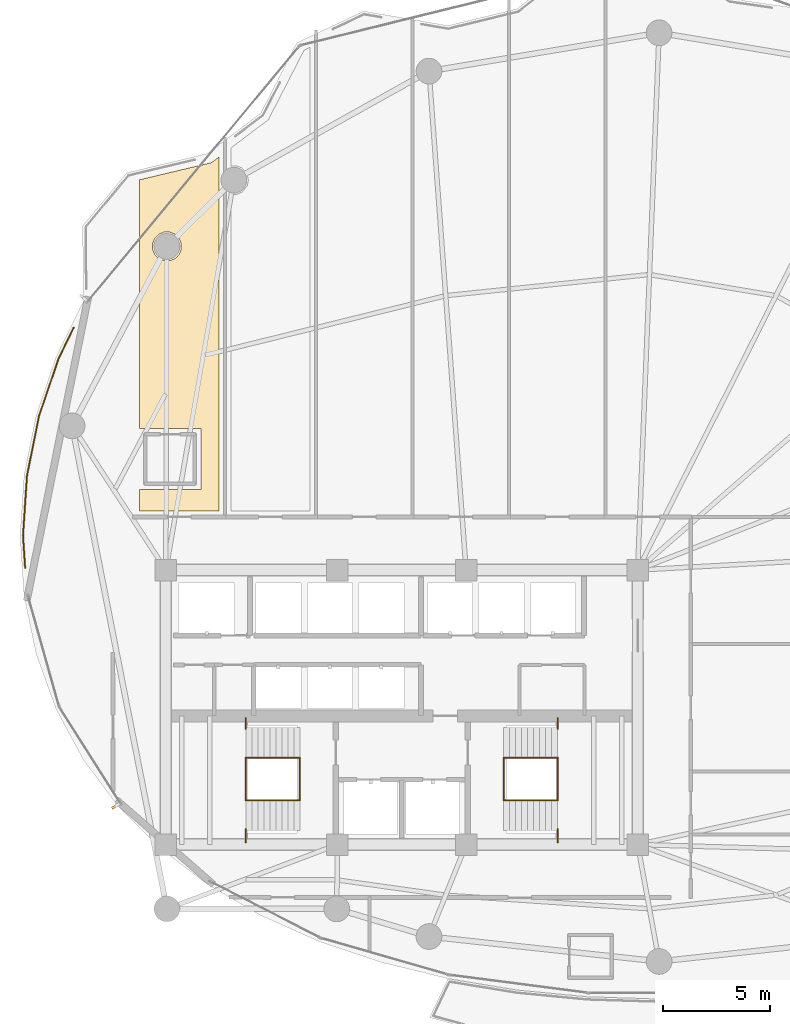
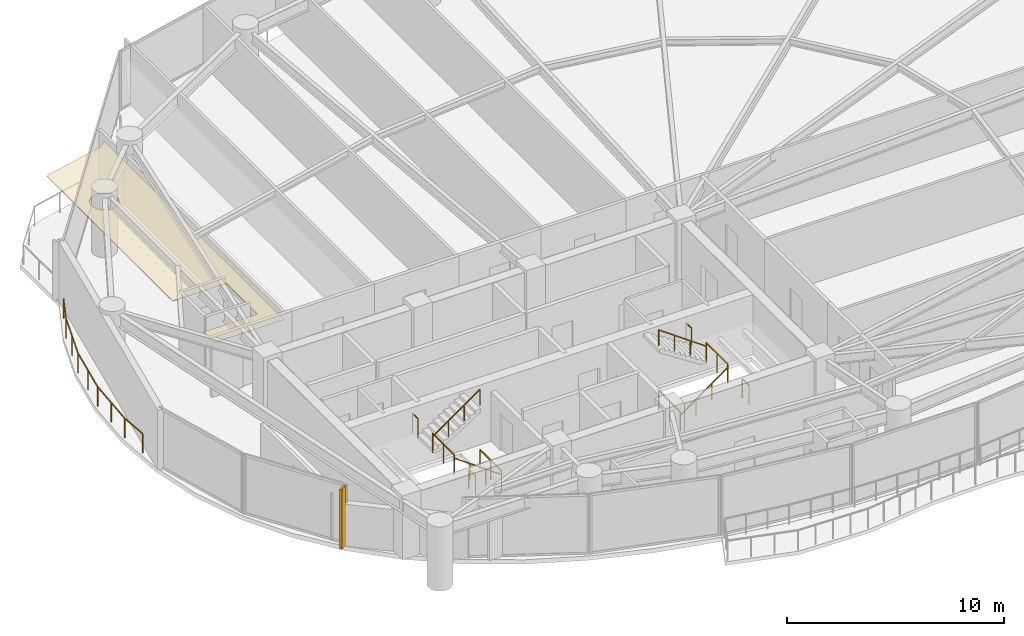
# One storey, part 26 of 28: 13 railings, 1 covering, 1 shading device.
"""IFC4 building model written with IfcOpenShell, lengths in metres."""

from ifc_helpers import new_model, si_unit, direction, frame, origin, origin_2d, place, context, subcontext, project, spatial, polyline, rectangle, outline, extrude, material, layer, layer_set, type_object, element, save


model = new_model("IFC4")

# Units and contexts
model_context = context("Model", 3, precision=1e-05, world=origin(), true_north=direction((0.0, 1.0)))
body_context = subcontext(model_context, "Body", "Model", "MODEL_VIEW")
ifc_project = project(units=[si_unit("LENGTHUNIT", "METRE"), si_unit("AREAUNIT", "SQUARE_METRE"), si_unit("VOLUMEUNIT", "CUBIC_METRE"), si_unit("PLANEANGLEUNIT", "RADIAN"), si_unit("MASSUNIT", "GRAM", prefix="KILO")], contexts=[model_context])

# Site, building, storey
site_placement = place(None, origin())
site = spatial("IfcSite", under=ifc_project, at=site_placement, CompositionType="ELEMENT")
building_placement = place(site_placement, origin())
building = spatial("IfcBuilding", under=site, at=building_placement, Name="Kazevale Care Tower and Concert Hall", CompositionType="ELEMENT")
storey_placement = place(building_placement, frame((0.0, 0.0, 102.60009765625)))
storey = spatial("IfcBuildingStorey", under=building, at=storey_placement, Name="L26", CompositionType="ELEMENT", Elevation=102.60009765625)

# Covering
ifc_material_1 = material(Name="Acoustic Plaster and Hinoki Wood", Category="wood")
ifc_layer = layer(ifc_material_1, 0.0400390625)
ifc_layer_set = layer_set([ifc_layer], Name="Acoustic Plaster and Hinoki Wood")
covering_type = type_object("IfcCoveringType", Name="Acoustic Perforated Wood-Gypsum Ceiling", PredefinedType="CEILING", material=ifc_layer_set)
covering_placement = place(storey_placement, frame((0.0, 0.0, 2.7099609375)))
element("IfcCovering", 1, at=covering_placement, inside=storey, type_object=covering_type, Name="clg:L26:1", PredefinedType="CEILING", context=body_context, shape_type="SweptSolid", body=[
    extrude(outline(polyline([(23.6298828125, 40.14501953125), (23.6298828125, 43.0048828125), (20.780029296875, 43.0048828125), (20.780029296875, 54.597900390625), (24.1279296875, 55.39404296875), (24.469970703125, 55.652099609375), (24.469970703125, 39.155029296875), (20.780029296875, 39.155029296875), (20.780029296875, 40.14501953125), (23.6298828125, 40.14501953125)]), holes=[polyline([(22.717041015625, 51.623046875), (22.614990234375, 51.867919921875), (22.427978515625, 52.054931640625), (22.18310546875, 52.156982421875), (21.9169921875, 52.156982421875), (21.672119140625, 52.054931640625), (21.485107421875, 51.867919921875), (21.383056640625, 51.623046875), (21.383056640625, 51.35693359375), (21.485107421875, 51.112060546875), (21.672119140625, 50.925048828125), (21.9169921875, 50.822998046875), (22.18310546875, 50.822998046875), (22.427978515625, 50.925048828125), (22.614990234375, 51.112060546875), (22.717041015625, 51.35693359375), (22.717041015625, 51.623046875)])]), origin(), (0.0, 0.0, 1.0), 0.0400390625),
])

# Railings
ifc_material_2 = material(Name="Anodised Bronze Aluminium and Laminated Glass", Category="aluminium")
railing_type_1 = type_object("IfcRailingType", Name="Balcony and Terrace Balustrade 1120", PredefinedType="BALUSTRADE", material=ifc_material_2)
railing_1_placement = place(storey_placement, frame((15.43994140625, 36.514892578125, 0.0)))
element("IfcRailing", 2, at=railing_1_placement, inside=storey, type_object=railing_type_1, Name="rail:L26:perim:1", PredefinedType="BALUSTRADE", context=body_context, shape_type="SweptSolid", body=[
    extrude(rectangle(XDim=0.048095703125, YDim=0.048095703125, at=origin_2d()), frame((0.0, 0.0, 1.09619140625), z_axis=(-0.067085094259, 0.99774725764, 0.0), x_axis=(-0.99774725764, -0.067085094259, 0.0)), (0.0, 0.0, 1.0), 1.488525390625),
    extrude(rectangle(XDim=0.048095703125, YDim=0.048095703125, at=origin_2d()), frame((-0.099853515625, 1.485107421875, 1.09619140625), z_axis=(0.066138294973, 0.997810465939, 0.0), x_axis=(-0.997810465939, 0.066138294973, 0.0)), (0.0, 0.0, 1.0), 2.80908203125),
    extrude(rectangle(XDim=0.048095703125, YDim=0.048095703125, at=origin_2d()), frame((0.0859375, 4.2880859375, 1.09619140625), z_axis=(0.197313197068, 0.980340503225, 0.0), x_axis=(-0.980340503225, 0.197313197068, 0.0)), (0.0, 0.0, 1.0), 2.823486328125),
    extrude(rectangle(XDim=0.048095703125, YDim=0.048095703125, at=origin_2d()), frame((0.64306640625, 7.05615234375, 1.09619140625), z_axis=(0.322414050189, 0.946598742996, 0.0), x_axis=(-0.946598742996, 0.322414050189, 0.0)), (0.0, 0.0, 1.0), 2.85009765625),
    extrude(rectangle(XDim=0.048095703125, YDim=0.048095703125, at=origin_2d()), frame((1.56201171875, 9.754150390625, 1.09619140625), z_axis=(0.44003868985, 0.89797881458, 0.0), x_axis=(-0.89797881458, 0.44003868985, 0.0)), (0.0, 0.0, 1.0), 1.595703125),
    extrude(rectangle(XDim=0.0419921875, YDim=0.0419921875, at=origin_2d()), origin(), (0.0, 0.0, 1.0), 1.072021484375),
    extrude(rectangle(XDim=0.0419921875, YDim=0.0419921875, at=origin_2d()), frame((-0.099853515625, 1.485107421875, 0.0)), (0.0, 0.0, 1.0), 1.072021484375),
    extrude(rectangle(XDim=0.0419921875, YDim=0.0419921875, at=origin_2d()), frame((-0.0068359375, 2.88671875, 0.0)), (0.0, 0.0, 1.0), 1.072021484375),
    extrude(rectangle(XDim=0.0419921875, YDim=0.0419921875, at=origin_2d()), frame((0.0859375, 4.2880859375, 0.0)), (0.0, 0.0, 1.0), 1.072021484375),
    extrude(rectangle(XDim=0.0419921875, YDim=0.0419921875, at=origin_2d()), frame((0.364501953125, 5.672119140625, 0.0)), (0.0, 0.0, 1.0), 1.072021484375),
    extrude(rectangle(XDim=0.0419921875, YDim=0.0419921875, at=origin_2d()), frame((0.64306640625, 7.05615234375, 0.0)), (0.0, 0.0, 1.0), 1.072021484375),
    extrude(rectangle(XDim=0.0419921875, YDim=0.0419921875, at=origin_2d()), frame((1.1025390625, 8.4052734375, 0.0)), (0.0, 0.0, 1.0), 1.072021484375),
    extrude(rectangle(XDim=0.0419921875, YDim=0.0419921875, at=origin_2d()), frame((1.56201171875, 9.754150390625, 0.0)), (0.0, 0.0, 1.0), 1.072021484375),
    extrude(rectangle(XDim=0.0419921875, YDim=0.0419921875, at=origin_2d()), frame((2.26416015625, 11.18701171875, 0.0)), (0.0, 0.0, 1.0), 1.072021484375),
])
ifc_material_3 = material(Name="Stainless Steel 316", Category="steel")
railing_type_2 = type_object("IfcRailingType", Name="Stair Pitch Handrail 920", PredefinedType="HANDRAIL", material=ifc_material_3)
railing_2_placement = place(storey_placement, frame((28.25, 25.659912109375, 0.0)))
element("IfcRailing", 3, at=railing_2_placement, inside=storey, type_object=railing_type_2, Name="stair:L26:ST1:hr1", PredefinedType="HANDRAIL", context=body_context, shape_type="SweptSolid", body=[
    extrude(rectangle(XDim=0.048095703125, YDim=0.048095703125, at=origin_2d()), frame((0.0, 0.0, 0.89599609375), z_axis=(-0.813765431312, 0.0, 0.581193446971), x_axis=(0.0, -1.0, 0.0)), (0.0, 0.0, 1.0), 3.0966796875),
    extrude(rectangle(XDim=0.0419921875, YDim=0.0419921875, at=origin_2d()), origin(), (0.0, 0.0, 1.0), 0.871826171875),
    extrude(rectangle(XDim=0.0419921875, YDim=0.0419921875, at=origin_2d()), frame((-0.840087890625, 0.0, 0.599853515625)), (0.0, 0.0, 1.0), 0.871826171875),
    extrude(rectangle(XDim=0.0419921875, YDim=0.0419921875, at=origin_2d()), frame((-1.679931640625, 0.0, 1.199951171875)), (0.0, 0.0, 1.0), 0.871826171875),
    extrude(rectangle(XDim=0.0419921875, YDim=0.0419921875, at=origin_2d()), frame((-2.52001953125, 0.0, 1.7998046875)), (0.0, 0.0, 1.0), 0.871826171875),
])
railing_3_placement = place(storey_placement, frame((25.72998046875, 27.639892578125, 1.7998046875)))
element("IfcRailing", 4, at=railing_3_placement, inside=storey, type_object=railing_type_2, Name="stair:L26:ST1:hr2", PredefinedType="HANDRAIL", context=body_context, shape_type="SweptSolid", body=[
    extrude(rectangle(XDim=0.048095703125, YDim=0.048095703125, at=origin_2d()), frame((0.0, 0.0, 0.89599609375), z_axis=(0.813728144527, 0.0, 0.581245650998), x_axis=(0.0, 1.0, 0.0)), (0.0, 0.0, 1.0), 3.096923828125),
    extrude(rectangle(XDim=0.0419921875, YDim=0.0419921875, at=origin_2d()), origin(), (0.0, 0.0, 1.0), 0.871826171875),
    extrude(rectangle(XDim=0.0419921875, YDim=0.0419921875, at=origin_2d()), frame((0.840087890625, 0.0, 0.60009765625)), (0.0, 0.0, 1.0), 0.871826171875),
    extrude(rectangle(XDim=0.0419921875, YDim=0.0419921875, at=origin_2d()), frame((1.679931640625, 0.0, 1.199951171875)), (0.0, 0.0, 1.0), 0.871826171875),
    extrude(rectangle(XDim=0.0419921875, YDim=0.0419921875, at=origin_2d()), frame((2.52001953125, 0.0, 1.800048828125)), (0.0, 0.0, 1.0), 0.871826171875),
])
railing_4_placement = place(storey_placement, frame((37.75, 25.659912109375, 0.0)))
element("IfcRailing", 5, at=railing_4_placement, inside=storey, type_object=railing_type_2, Name="stair:L26:ST2:hr1", PredefinedType="HANDRAIL", context=body_context, shape_type="SweptSolid", body=[
    extrude(rectangle(XDim=0.048095703125, YDim=0.048095703125, at=origin_2d()), frame((0.0, 0.0, 0.89599609375), z_axis=(0.813765431312, 0.0, 0.581193446971), x_axis=(0.0, 1.0, 0.0)), (0.0, 0.0, 1.0), 3.0966796875),
    extrude(rectangle(XDim=0.0419921875, YDim=0.0419921875, at=origin_2d()), origin(), (0.0, 0.0, 1.0), 0.871826171875),
    extrude(rectangle(XDim=0.0419921875, YDim=0.0419921875, at=origin_2d()), frame((0.840087890625, 0.0, 0.599853515625)), (0.0, 0.0, 1.0), 0.871826171875),
    extrude(rectangle(XDim=0.0419921875, YDim=0.0419921875, at=origin_2d()), frame((1.679931640625, 0.0, 1.199951171875)), (0.0, 0.0, 1.0), 0.871826171875),
    extrude(rectangle(XDim=0.0419921875, YDim=0.0419921875, at=origin_2d()), frame((2.52001953125, 0.0, 1.7998046875)), (0.0, 0.0, 1.0), 0.871826171875),
])
railing_5_placement = place(storey_placement, frame((40.27001953125, 27.639892578125, 1.7998046875)))
element("IfcRailing", 6, at=railing_5_placement, inside=storey, type_object=railing_type_2, Name="stair:L26:ST2:hr2", PredefinedType="HANDRAIL", context=body_context, shape_type="SweptSolid", body=[
    extrude(rectangle(XDim=0.048095703125, YDim=0.048095703125, at=origin_2d()), frame((0.0, 0.0, 0.89599609375), z_axis=(-0.813728144527, 0.0, 0.581245650998), x_axis=(0.0, -1.0, 0.0)), (0.0, 0.0, 1.0), 3.096923828125),
    extrude(rectangle(XDim=0.0419921875, YDim=0.0419921875, at=origin_2d()), origin(), (0.0, 0.0, 1.0), 0.871826171875),
    extrude(rectangle(XDim=0.0419921875, YDim=0.0419921875, at=origin_2d()), frame((-0.840087890625, 0.0, 0.60009765625)), (0.0, 0.0, 1.0), 0.871826171875),
    extrude(rectangle(XDim=0.0419921875, YDim=0.0419921875, at=origin_2d()), frame((-1.679931640625, 0.0, 1.199951171875)), (0.0, 0.0, 1.0), 0.871826171875),
    extrude(rectangle(XDim=0.0419921875, YDim=0.0419921875, at=origin_2d()), frame((-2.52001953125, 0.0, 1.800048828125)), (0.0, 0.0, 1.0), 0.871826171875),
])
railing_type_3 = type_object("IfcRailingType", Name="Stair Well Guard Balustrade 1120", PredefinedType="BALUSTRADE", material=ifc_material_3)
railing_6_placement = place(storey_placement, frame((25.72998046875, 23.699951171875, 1.7998046875)))
element("IfcRailing", 7, at=railing_6_placement, inside=storey, type_object=railing_type_3, Name="stair:L26:ST1:grd_side1", PredefinedType="BALUSTRADE", context=body_context, shape_type="SweptSolid", body=[
    extrude(rectangle(XDim=0.048095703125, YDim=0.048095703125, at=origin_2d()), frame((0.0, 0.0, 1.09619140625), z_axis=(0.0, 1.0, 0.0), x_axis=(-1.0, 0.0, 0.0)), (0.0, 0.0, 1.0), 0.610107421875),
    extrude(rectangle(XDim=0.0419921875, YDim=0.0419921875, at=origin_2d()), origin(), (0.0, 0.0, 1.0), 1.072021484375),
    extrude(rectangle(XDim=0.0419921875, YDim=0.0419921875, at=origin_2d()), frame((0.0, 0.610107421875, 0.0)), (0.0, 0.0, 1.0), 1.072021484375),
])
railing_7_placement = place(storey_placement, frame((25.72998046875, 28.989990234375, 1.7998046875)))
element("IfcRailing", 8, at=railing_7_placement, inside=storey, type_object=railing_type_3, Name="stair:L26:ST1:grd_side2", PredefinedType="BALUSTRADE", context=body_context, shape_type="SweptSolid", body=[
    extrude(rectangle(XDim=0.048095703125, YDim=0.048095703125, at=origin_2d()), frame((0.0, 0.0, 1.09619140625), z_axis=(0.0, 1.0, 0.0), x_axis=(-1.0, 0.0, 0.0)), (0.0, 0.0, 1.0), 0.510009765625),
    extrude(rectangle(XDim=0.0419921875, YDim=0.0419921875, at=origin_2d()), origin(), (0.0, 0.0, 1.0), 1.072021484375),
    extrude(rectangle(XDim=0.0419921875, YDim=0.0419921875, at=origin_2d()), frame((0.0, 0.510009765625, 0.0)), (0.0, 0.0, 1.0), 1.072021484375),
])
for number, where, name in (
    (9, (25.72998046875, 25.659912109375, 1.7998046875), "stair:L26:ST1:grd_mid"),
    (10, (28.25, 25.659912109375, 0.0), "stair:L26:ST1:grd_flr"),
):
    element("IfcRailing", number, at=place(storey_placement, frame(where)), inside=storey, type_object=railing_type_3, Name=name, PredefinedType="BALUSTRADE", context=body_context, shape_type="SweptSolid", body=[
        extrude(rectangle(XDim=0.048095703125, YDim=0.048095703125, at=origin_2d()), frame((0.0, 0.0, 1.09619140625), z_axis=(0.0, 1.0, 0.0), x_axis=(-1.0, 0.0, 0.0)), (0.0, 0.0, 1.0), 1.97998046875),
        extrude(rectangle(XDim=0.0419921875, YDim=0.0419921875, at=origin_2d()), origin(), (0.0, 0.0, 1.0), 1.072021484375),
        extrude(rectangle(XDim=0.0419921875, YDim=0.0419921875, at=origin_2d()), frame((0.0, 0.989990234375, 0.0)), (0.0, 0.0, 1.0), 1.072021484375),
        extrude(rectangle(XDim=0.0419921875, YDim=0.0419921875, at=origin_2d()), frame((0.0, 1.97998046875, 0.0)), (0.0, 0.0, 1.0), 1.072021484375),
    ])
railing_8_placement = place(storey_placement, frame((40.27001953125, 23.699951171875, 1.7998046875)))
element("IfcRailing", 11, at=railing_8_placement, inside=storey, type_object=railing_type_3, Name="stair:L26:ST2:grd_side1", PredefinedType="BALUSTRADE", context=body_context, shape_type="SweptSolid", body=[
    extrude(rectangle(XDim=0.048095703125, YDim=0.048095703125, at=origin_2d()), frame((0.0, 0.0, 1.09619140625), z_axis=(0.0, 1.0, 0.0), x_axis=(-1.0, 0.0, 0.0)), (0.0, 0.0, 1.0), 0.610107421875),
    extrude(rectangle(XDim=0.0419921875, YDim=0.0419921875, at=origin_2d()), origin(), (0.0, 0.0, 1.0), 1.072021484375),
    extrude(rectangle(XDim=0.0419921875, YDim=0.0419921875, at=origin_2d()), frame((0.0, 0.610107421875, 0.0)), (0.0, 0.0, 1.0), 1.072021484375),
])
railing_9_placement = place(storey_placement, frame((40.27001953125, 28.989990234375, 1.7998046875)))
element("IfcRailing", 12, at=railing_9_placement, inside=storey, type_object=railing_type_3, Name="stair:L26:ST2:grd_side2", PredefinedType="BALUSTRADE", context=body_context, shape_type="SweptSolid", body=[
    extrude(rectangle(XDim=0.048095703125, YDim=0.048095703125, at=origin_2d()), frame((0.0, 0.0, 1.09619140625), z_axis=(0.0, 1.0, 0.0), x_axis=(-1.0, 0.0, 0.0)), (0.0, 0.0, 1.0), 0.510009765625),
    extrude(rectangle(XDim=0.0419921875, YDim=0.0419921875, at=origin_2d()), origin(), (0.0, 0.0, 1.0), 1.072021484375),
    extrude(rectangle(XDim=0.0419921875, YDim=0.0419921875, at=origin_2d()), frame((0.0, 0.510009765625, 0.0)), (0.0, 0.0, 1.0), 1.072021484375),
])
for number, where, name in (
    (13, (40.27001953125, 25.659912109375, 1.7998046875), "stair:L26:ST2:grd_mid"),
    (14, (37.75, 25.659912109375, 0.0), "stair:L26:ST2:grd_flr"),
):
    element("IfcRailing", number, at=place(storey_placement, frame(where)), inside=storey, type_object=railing_type_3, Name=name, PredefinedType="BALUSTRADE", context=body_context, shape_type="SweptSolid", body=[
        extrude(rectangle(XDim=0.048095703125, YDim=0.048095703125, at=origin_2d()), frame((0.0, 0.0, 1.09619140625), z_axis=(0.0, 1.0, 0.0), x_axis=(-1.0, 0.0, 0.0)), (0.0, 0.0, 1.0), 1.97998046875),
        extrude(rectangle(XDim=0.0419921875, YDim=0.0419921875, at=origin_2d()), origin(), (0.0, 0.0, 1.0), 1.072021484375),
        extrude(rectangle(XDim=0.0419921875, YDim=0.0419921875, at=origin_2d()), frame((0.0, 0.989990234375, 0.0)), (0.0, 0.0, 1.0), 1.072021484375),
        extrude(rectangle(XDim=0.0419921875, YDim=0.0419921875, at=origin_2d()), frame((0.0, 1.97998046875, 0.0)), (0.0, 0.0, 1.0), 1.072021484375),
    ])

# Shading device
ifc_material_4 = material(Name="Honed Ochre Limestone", Category="masonry")
shading_device_type = type_object("IfcShadingDeviceType", Name="Vertical Honed Limestone Fin FIN-01", PredefinedType="USERDEFINED", material=ifc_material_4)
shading_device_placement = place(storey_placement, frame((19.649658203125, 25.387451171875, 0.0), z_axis=(0.0, 0.0, 1.0), x_axis=(-0.843391445813, -0.537299608347, 0.0)))
element("IfcShadingDevice", 15, at=shading_device_placement, inside=storey, type_object=shading_device_type, Name="cw:L26:f11:fin", ObjectType="FIN", PredefinedType="USERDEFINED", context=body_context, shape_type="SweptSolid", body=[
    extrude(rectangle(XDim=0.3798828125, YDim=0.1201171875, at=origin_2d()), origin(), (0.0, 0.0, 1.0), 3.360107421875),
])

save(model, "model.ifc")
